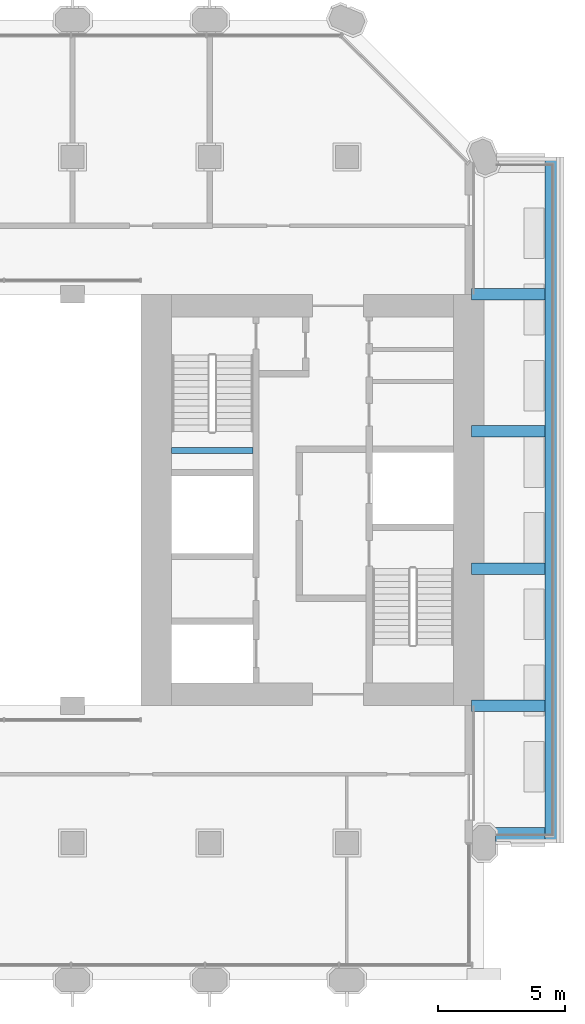
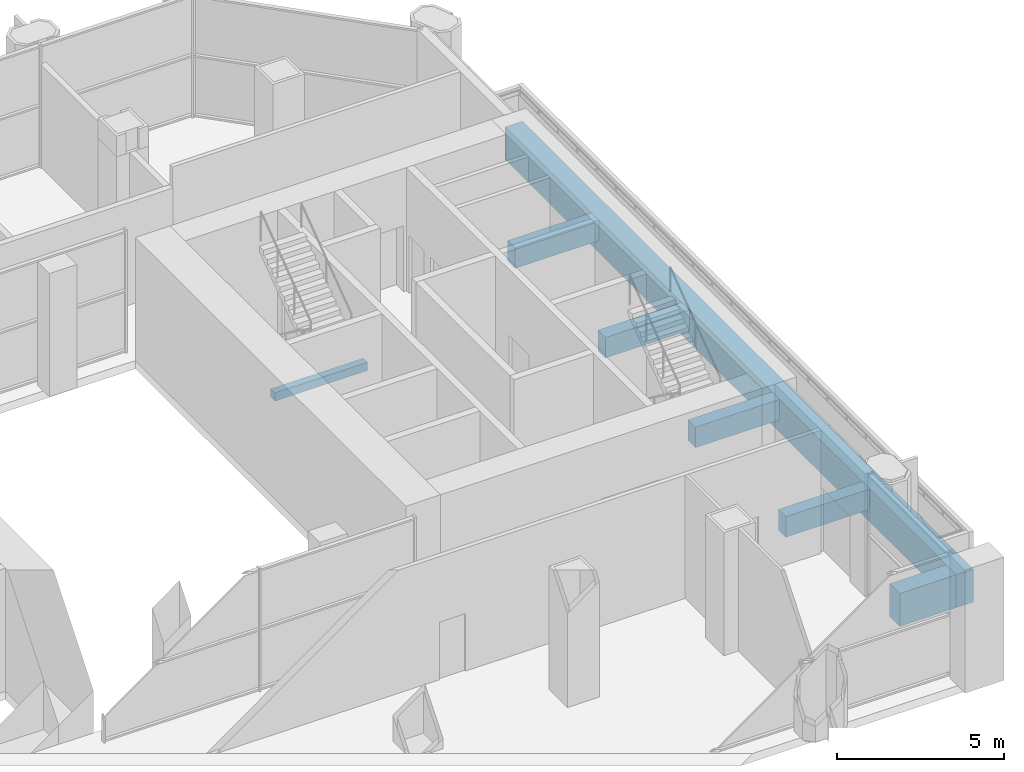
# One storey, part 6 of 15: 7 beams.
"""IFC4 building model written with IfcOpenShell, lengths in metres."""

import ifcopenshell
import ifcopenshell.guid

model = None  # the IFC model being written
_history = None  # IfcOwnerHistory: only IFC2X3 demands one
_inside = {}  # id of a spatial element -> (the spatial element, [elements in it])
_under = {}  # id of a project, library or spatial element -> (it, [spatial elements below it])
_declared = {}  # id of a project -> (the project, [libraries it declares])
_typed = {}  # id of a type object -> (the type object, [elements of that type])
_made_of = {}  # id of a material, layer set ... -> (it, [elements and type objects made of it])


def new_model(schema):
    """Start an empty IFC model of exactly this schema.

    Asked for "IFC4X3", IfcOpenShell would pick the latest addendum, in which some entities
    have other attributes; the version numbers below select the first issue.
    IFC2X3 requires an IfcOwnerHistory on every rooted entity: one is made here for all.
    """
    global model, _history
    if schema == "IFC4X3":
        model = ifcopenshell.file(schema_version=(4, 3, 0, 0))
    else:
        model = ifcopenshell.file(schema=schema)
    _inside.clear()
    _under.clear()
    _declared.clear()
    _typed.clear()
    _made_of.clear()
    _history = None
    if model.schema == "IFC2X3":
        org = make("IfcOrganization", Name="unknown")
        user = make(
            "IfcPersonAndOrganization",
            ThePerson=make("IfcPerson", FamilyName="unknown"),
            TheOrganization=org,
        )
        app = make(
            "IfcApplication",
            ApplicationDeveloper=org,
            Version="unknown",
            ApplicationFullName="unknown",
            ApplicationIdentifier="unknown",
        )
        _history = make(
            "IfcOwnerHistory",
            OwningUser=user,
            OwningApplication=app,
            ChangeAction="ADDED",
            CreationDate=0,
        )
    return model


def make(cls, **values):
    """One entity of the class cls with the attributes given. An attribute that is None is left unset."""
    return model.create_entity(
        cls, **{name: value for name, value in values.items() if value is not None}
    )


def rooted(cls, **values):
    """An entity with a GlobalId (a new one), such as an element, a storey or a relation."""
    return make(cls, GlobalId=ifcopenshell.guid.new(), OwnerHistory=_history, **values)


def si_unit(unit_type, name, prefix=None):
    """IfcSIUnit, for example si_unit("LENGTHUNIT", "METRE", prefix="MILLI")."""
    return make("IfcSIUnit", UnitType=unit_type, Prefix=prefix, Name=name)


def assignment(units):
    """IfcUnitAssignment: the units of a project."""
    return None if units is None else make("IfcUnitAssignment", Units=units)


def point(xyz):
    """IfcCartesianPoint."""
    return None if xyz is None else make("IfcCartesianPoint", Coordinates=xyz)


def direction(xyz):
    """IfcDirection."""
    return None if xyz is None else make("IfcDirection", DirectionRatios=xyz)


def frame(location, z_axis=None, x_axis=None):
    """IfcAxis2Placement3D, a coordinate frame: its origin and axes. An axis left out is left unset."""
    return make(
        "IfcAxis2Placement3D",
        Location=point(location),
        Axis=direction(z_axis),
        RefDirection=direction(x_axis),
    )


def frame_2d(location, x_axis=None):
    """IfcAxis2Placement2D, a coordinate frame in the plane: its origin and x axis."""
    return make(
        "IfcAxis2Placement2D", Location=point(location), RefDirection=direction(x_axis)
    )


def origin():
    """The frame at (0, 0, 0) with its axes left unset."""
    return frame((0.0, 0.0, 0.0))


def origin_2d():
    """The frame at (0, 0) in the plane with its x axis left unset."""
    return frame_2d((0.0, 0.0))


def place(relative_to, where):
    """IfcLocalPlacement: puts the frame where relative to a parent placement (None: the world)."""
    return make(
        "IfcLocalPlacement", PlacementRelTo=relative_to, RelativePlacement=where
    )


def context(
    kind, dimensions, precision=None, world=None, true_north=None, identifier=None
):
    """IfcGeometricRepresentationContext, for example the 3D "Model" context."""
    return make(
        "IfcGeometricRepresentationContext",
        ContextIdentifier=identifier,
        ContextType=kind,
        CoordinateSpaceDimension=dimensions,
        Precision=precision,
        WorldCoordinateSystem=world,
        TrueNorth=true_north,
    )


def subcontext(parent, identifier, kind, view, scale=None):
    """IfcGeometricRepresentationSubContext, for example "Body" below "Model"."""
    return make(
        "IfcGeometricRepresentationSubContext",
        ContextIdentifier=identifier,
        ContextType=kind,
        ParentContext=parent,
        TargetScale=scale,
        TargetView=view,
    )


def project(units=None, contexts=None):
    """IfcProject with its units and contexts."""
    return rooted(
        "IfcProject",
        Name="project",
        RepresentationContexts=contexts,
        UnitsInContext=assignment(units),
    )


def spatial(cls, under=None, at=None, **own):
    """A site, building, storey or space (cls), placed at a placement, below another one or the project."""
    s = rooted(cls, ObjectPlacement=at, **own)
    if under is not None:
        _under.setdefault(under.id(), (under, []))[1].append(s)
    return s


def profile(cls, at=None, kind="AREA", **sizes):
    """A parametric profile (cls). Its sizes go by their IFC names, for example OverallWidth=200.0."""
    return make(cls, ProfileType=kind, Position=at, **sizes)


def rectangle(**sizes):
    """IfcRectangleProfileDef."""
    return profile("IfcRectangleProfileDef", **sizes)


def extrude(swept, where, along, depth):
    """IfcExtrudedAreaSolid: the profile swept, set in the frame where, extruded along a direction by depth."""
    return make(
        "IfcExtrudedAreaSolid",
        SweptArea=swept,
        Position=where,
        ExtrudedDirection=direction(along),
        Depth=depth,
    )


def shape(context_of_items, identifier, shape_type, items):
    """IfcShapeRepresentation: the items that make up one representation, for example the "Body"."""
    return make(
        "IfcShapeRepresentation",
        ContextOfItems=context_of_items,
        RepresentationIdentifier=identifier,
        RepresentationType=shape_type,
        Items=items,
    )


def material(Name=None, Category=None):
    """IfcMaterial."""
    return make("IfcMaterial", Name=Name, Category=Category)


def material_profile(
    of_material, cross_section, Name=None, Category=None, Priority=None
):
    """IfcMaterialProfile: a cross section and its material."""
    return make(
        "IfcMaterialProfile",
        Name=Name,
        Material=of_material,
        Profile=cross_section,
        Priority=Priority,
        Category=Category,
    )


def profile_set(profiles, Name=None, composite=None):
    """IfcMaterialProfileSet."""
    return make(
        "IfcMaterialProfileSet",
        Name=Name,
        MaterialProfiles=profiles,
        CompositeProfile=composite,
    )


def made_of(thing, what):
    """Note that an element or type object is made of a material, layer set ...; save() writes the relation."""
    if what is not None:
        _made_of.setdefault(what.id(), (what, []))[1].append(thing)
    return thing


def type_object(cls, material=None, **own):
    """A type object (cls), such as IfcWallType, which elements share."""
    return made_of(rooted(cls, **own), material)


def element(
    cls,
    number,
    at=None,
    inside=None,
    cuts=None,
    type_object=None,
    material=None,
    context=None,
    identifier="Body",
    shape_type=None,
    held_by="IfcProductDefinitionShape",
    body=None,
    shapes=None,
    **own,
):
    """One element of the class cls, such as IfcWall. Its Tag is "e" and its number.

    at: its placement. inside: the storey or other place that contains it. cuts: it is an
    opening in that element (IfcRelVoidsElement). A single representation is given by context,
    identifier, shape_type and body (its items); several are given by shapes. held_by: the class
    of the entity that holds the representations. save() writes the other relations.
    """
    e = rooted(cls, Tag="e%d" % number, ObjectPlacement=at, **own)
    if body is not None:
        shapes = [shape(context, identifier, shape_type, body)]
    if shapes is not None:
        e.Representation = make(held_by, Representations=shapes)
    if inside is not None:
        _inside.setdefault(inside.id(), (inside, []))[1].append(e)
    if cuts is not None:
        rooted(
            "IfcRelVoidsElement", RelatingBuildingElement=cuts, RelatedOpeningElement=e
        )
    if type_object is not None:
        _typed.setdefault(type_object.id(), (type_object, []))[1].append(e)
    return made_of(e, material)


def aggregate(whole, parts):
    """IfcRelAggregates: a whole, such as a stair, and the parts it consists of."""
    return rooted("IfcRelAggregates", RelatingObject=whole, RelatedObjects=parts)


def save(model, path):
    """Write the relations noted so far, then the file.

    IfcRelAggregates (storeys below a building ...), IfcRelContainedInSpatialStructure (elements
    in a storey), IfcRelDefinesByType, IfcRelAssociatesMaterial and IfcRelDeclares: one each for
    every whole, place, type object, material and project.
    """
    for whole, parts in _under.values():
        aggregate(whole, parts)
    for where, things in _inside.values():
        rooted(
            "IfcRelContainedInSpatialStructure",
            RelatedElements=things,
            RelatingStructure=where,
        )
    for kind, things in _typed.values():
        rooted("IfcRelDefinesByType", RelatedObjects=things, RelatingType=kind)
    for what, things in _made_of.values():
        rooted("IfcRelAssociatesMaterial", RelatedObjects=things, RelatingMaterial=what)
    for by, libraries in _declared.values():
        rooted("IfcRelDeclares", RelatingContext=by, RelatedDefinitions=libraries)
    model.write(path)


model = new_model("IFC4")

# Units and contexts
model_context = context("Model", 3, precision=1e-05, world=origin(), true_north=direction((0.0, 1.0)))
body_context = subcontext(model_context, "Body", "Model", "MODEL_VIEW")
ifc_project = project(units=[si_unit("LENGTHUNIT", "METRE"), si_unit("AREAUNIT", "SQUARE_METRE"), si_unit("VOLUMEUNIT", "CUBIC_METRE"), si_unit("PLANEANGLEUNIT", "RADIAN"), si_unit("MASSUNIT", "GRAM", prefix="KILO")], contexts=[model_context])

# Site, building, storey
site_placement = place(None, origin())
site = spatial("IfcSite", under=ifc_project, at=site_placement, CompositionType="ELEMENT")
building_placement = place(site_placement, origin())
building = spatial("IfcBuilding", under=site, at=building_placement, Name="Tabaq Tower and Sports Hall", CompositionType="ELEMENT")
storey_placement = place(building_placement, frame((0.0, 0.0, 143.199951171875)))
storey = spatial("IfcBuildingStorey", under=building, at=storey_placement, Name="L33", CompositionType="ELEMENT", Elevation=143.199951171875)

# Beams
ifc_material_1 = material(Name="Concrete C40/50", Category="concrete")
ifc_material_profile_1 = material_profile(ifc_material_1, rectangle(XDim=0.60009765625, YDim=1.199951171875, at=origin_2d()), Name="EBT 600x1200")
ifc_profile_set_1 = profile_set([ifc_material_profile_1], Name="Concrete C40/50")
beam_type_1 = type_object("IfcBeamType", Name="Concrete C40/50 PT edge band EBT 600x1200", PredefinedType="BEAM", material=ifc_profile_set_1)
beam_1_placement = place(storey_placement, frame((45.89990234375, 10.800048828125, -0.89990234375), z_axis=(0.0, 1.0, 0.0), x_axis=(-1.0, 0.0, 0.0)))
element("IfcBeam", 1, at=beam_1_placement, inside=storey, type_object=beam_type_1, Name="Tray edge band L33", PredefinedType="BEAM", context=body_context, shape_type="SweptSolid", body=[
    extrude(rectangle(XDim=0.60009765625, YDim=1.199951171875, at=origin_2d()), origin(), (0.0, 0.0, 1.0), 27.0),
])
beam_2_placement = place(storey_placement, frame((43.64990234375, 11.10009765625, -0.89990234375), z_axis=(1.0, 0.0, 0.0), x_axis=(0.0, 1.0, 0.0)))
element("IfcBeam", 2, at=beam_2_placement, inside=storey, type_object=beam_type_1, Name="Tray edge band L33", PredefinedType="BEAM", context=body_context, shape_type="SweptSolid", body=[
    extrude(rectangle(XDim=0.60009765625, YDim=1.199951171875, at=origin_2d()), origin(), (0.0, 0.0, 1.0), 1.9501953125),
])
ifc_material_2 = material(Name="Concrete C40/50", Category="concrete")
ifc_material_profile_2 = material_profile(ifc_material_2, rectangle(XDim=0.449951171875, YDim=0.75, at=origin_2d()), Name="CB 450x750")
ifc_profile_set_2 = profile_set([ifc_material_profile_2], Name="Concrete C40/50")
beam_type_2 = type_object("IfcBeamType", Name="PT CANTILEVER BEAM CB 450x750 C40/50", PredefinedType="BEAM", material=ifc_profile_set_2)
for number, where, z_axis, x_axis, name in (
    (3, (45.60009765625, 16.199951171875, -0.675048828125), (-1.0, 0.0, 0.0), (0.0, -1.0, 0.0), "Tray Cantilever Beam L33 T1 span 1"),
    (4, (45.60009765625, 21.60009765625, -0.675048828125), (-1.0, 0.0, 0.0), (0.0, -1.0, 0.0), "Tray Cantilever Beam L33 T2 span 1"),
    (5, (45.60009765625, 27.0, -0.675048828125), (-1.0, 0.0, 0.0), (0.0, -1.0, 0.0), "Tray Cantilever Beam L33 T3 span 1"),
    (6, (45.60009765625, 32.39990234375, -0.675048828125), (-1.0, 0.0, 0.0), (0.0, -1.0, 0.0), "Tray Cantilever Beam L33 T4 span 1"),
):
    element("IfcBeam", number, at=place(storey_placement, frame(where, z_axis=z_axis, x_axis=x_axis)), inside=storey, type_object=beam_type_2, Name=name, PredefinedType="BEAM", context=body_context, shape_type="SweptSolid", body=[
        extrude(rectangle(XDim=0.449951171875, YDim=0.75, at=origin_2d()), origin(), (0.0, 0.0, 1.0), 2.900146484375),
    ])
ifc_material_3 = material(Name="Concrete C40/50", Category="concrete")
ifc_material_profile_3 = material_profile(ifc_material_3, rectangle(XDim=0.25, YDim=0.300048828125, at=origin_2d()), Name="RC 250x300")
ifc_profile_set_3 = profile_set([ifc_material_profile_3], Name="Concrete C40/50")
beam_type_3 = type_object("IfcBeamType", Name="Stair landing beam 250x300", PredefinedType="BEAM", material=ifc_profile_set_3)
beam_3_placement = place(storey_placement, frame((30.89990234375, 26.25, 2.050048828125), z_axis=(1.0, 0.0, 0.0), x_axis=(0.0, 1.0, 0.0)))
element("IfcBeam", 7, at=beam_3_placement, inside=storey, type_object=beam_type_3, Name="L33 ST4 landing beam 1", PredefinedType="BEAM", context=body_context, shape_type="SweptSolid", body=[
    extrude(rectangle(XDim=0.25, YDim=0.300048828125, at=origin_2d()), origin(), (0.0, 0.0, 1.0), 3.2001953125),
])

save(model, "model.ifc")
